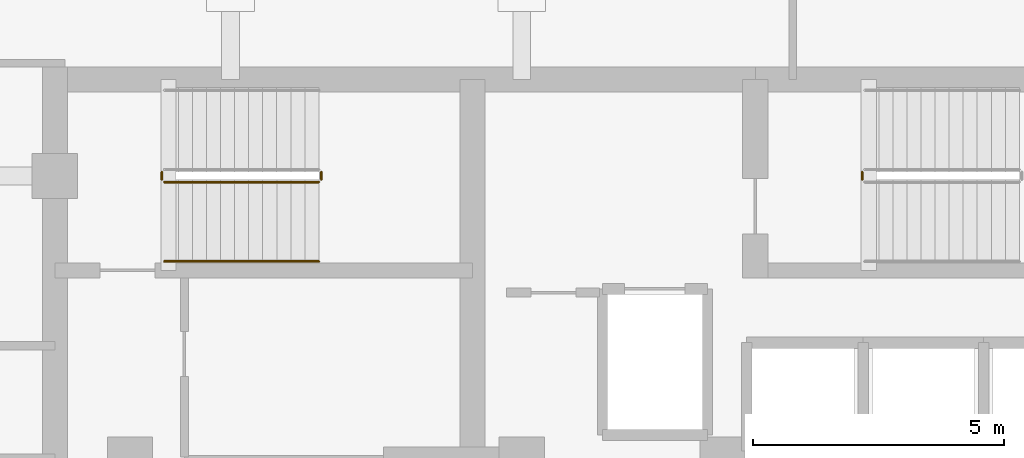
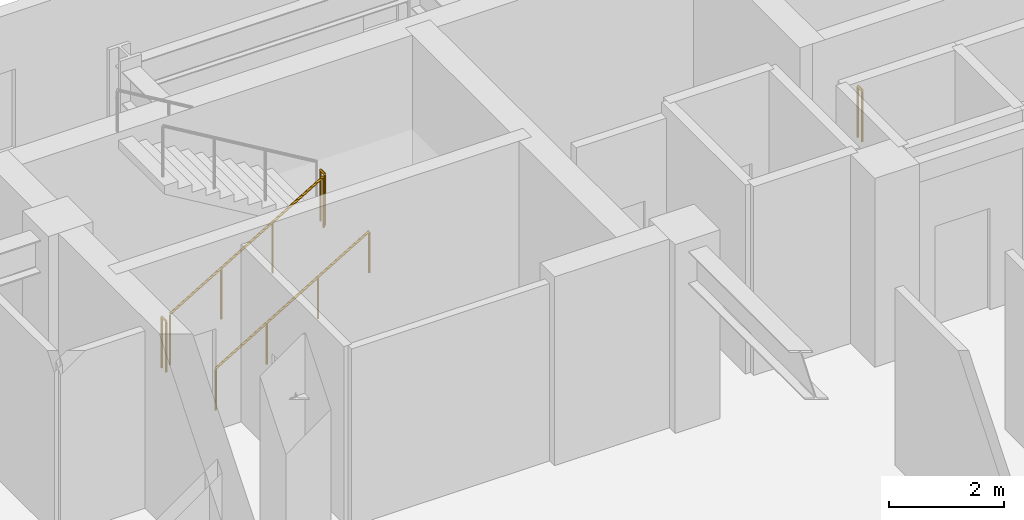
# One storey, part 11 of 13: 5 railings.
"""IFC4 building model written with IfcOpenShell, lengths in metres."""

from ifc_helpers import new_model, si_unit, direction, frame, origin, origin_2d, place, context, subcontext, project, spatial, circle, extrude, material, type_object, element, save


model = new_model("IFC4")

# Units and contexts
model_context = context("Model", 3, precision=1e-05, world=origin(), true_north=direction((0.0, 1.0)))
body_context = subcontext(model_context, "Body", "Model", "MODEL_VIEW")
ifc_project = project(units=[si_unit("LENGTHUNIT", "METRE"), si_unit("AREAUNIT", "SQUARE_METRE"), si_unit("VOLUMEUNIT", "CUBIC_METRE"), si_unit("PLANEANGLEUNIT", "RADIAN"), si_unit("MASSUNIT", "GRAM", prefix="KILO")], contexts=[model_context])

# Site, building, storey
site_placement = place(None, origin())
site = spatial("IfcSite", under=ifc_project, at=site_placement, CompositionType="ELEMENT")
building_placement = place(site_placement, origin())
building = spatial("IfcBuilding", under=site, at=building_placement, Name="Kestravale Grand Hotel", CompositionType="ELEMENT")
storey_placement = place(building_placement, frame((0.0, 0.0, 245.39990234375)))
storey = spatial("IfcBuildingStorey", under=building, at=storey_placement, Name="L61", CompositionType="ELEMENT", Elevation=245.39990234375)

# Railings
ifc_material_1 = material(Name="Painted tubular steel stair well guard", Category="steel")
railing_type_1 = type_object("IfcRailingType", Name="RL-ST-GRD1100", PredefinedType="GUARDRAIL", material=ifc_material_1)
railing_1_placement = place(storey_placement, frame((24.080078125, 38.280029296875, 0.166748046875)))
element("IfcRailing", 1, at=railing_1_placement, inside=storey, type_object=railing_type_1, Name="L61 ST-1 stair guard 1", PredefinedType="GUARDRAIL", context=body_context, shape_type="SweptSolid", body=[
    extrude(circle(Radius=0.02392578125, at=origin_2d()), frame((0.0, 0.0, 1.076171875), z_axis=(0.859290745958, 0.0, 0.51148745235), x_axis=(0.0, 1.0, 0.0)), (0.0, 0.0, 1.0), 3.584228515625),
    extrude(circle(Radius=0.02099609375, at=origin_2d()), origin(), (0.0, 0.0, 1.0), 1.052001953125),
    extrude(circle(Radius=0.02099609375, at=origin_2d()), frame((1.026611328125, 0.0, 0.611083984375)), (0.0, 0.0, 1.0), 1.052001953125),
    extrude(circle(Radius=0.02099609375, at=origin_2d()), frame((2.05322265625, 0.0, 1.22216796875)), (0.0, 0.0, 1.0), 1.052001953125),
    extrude(circle(Radius=0.02099609375, at=origin_2d()), frame((3.079833984375, 0.0, 1.833251953125)), (0.0, 0.0, 1.0), 1.052001953125),
])
for number, where, name in (
    (2, (27.2099609375, 38.330078125, 2.0), "L61 ST-1 stair guard 2"),
    (3, (24.030029296875, 38.330078125, 0.0), "L61 ST-1 stair guard 4"),
    (4, (37.97998046875, 38.330078125, 0.0), "L61 ST-2 stair guard 4"),
):
    element("IfcRailing", number, at=place(storey_placement, frame(where)), inside=storey, type_object=railing_type_1, Name=name, PredefinedType="GUARDRAIL", context=body_context, shape_type="SweptSolid", body=[
        extrude(circle(Radius=0.02392578125, at=origin_2d()), frame((0.0, 0.0, 1.076171875), z_axis=(0.0, 1.0, 0.0), x_axis=(-1.0, 0.0, 0.0)), (0.0, 0.0, 1.0), 0.14990234375),
        extrude(circle(Radius=0.02099609375, at=origin_2d()), origin(), (0.0, 0.0, 1.0), 1.052001953125),
        extrude(circle(Radius=0.02099609375, at=origin_2d()), frame((0.0, 0.14990234375, 0.0)), (0.0, 0.0, 1.0), 1.052001953125),
    ])
ifc_material_2 = material(Name="Brushed stainless steel wall handrail", Category="steel")
railing_type_2 = type_object("IfcRailingType", Name="RL-ST-HND900", PredefinedType="HANDRAIL", material=ifc_material_2)
railing_2_placement = place(storey_placement, frame((24.080078125, 36.699951171875, 0.166748046875)))
element("IfcRailing", 5, at=railing_2_placement, inside=storey, type_object=railing_type_2, Name="L61 ST-1 stair handrail 1", PredefinedType="HANDRAIL", context=body_context, shape_type="SweptSolid", body=[
    extrude(circle(Radius=0.02392578125, at=origin_2d()), frame((0.0, 0.0, 0.8759765625), z_axis=(0.859290745958, 0.0, 0.51148745235), x_axis=(0.0, 1.0, 0.0)), (0.0, 0.0, 1.0), 3.584228515625),
    extrude(circle(Radius=0.02099609375, at=origin_2d()), origin(), (0.0, 0.0, 1.0), 0.851806640625),
    extrude(circle(Radius=0.02099609375, at=origin_2d()), frame((1.026611328125, 0.0, 0.611083984375)), (0.0, 0.0, 1.0), 0.851806640625),
    extrude(circle(Radius=0.02099609375, at=origin_2d()), frame((2.05322265625, 0.0, 1.22216796875)), (0.0, 0.0, 1.0), 0.851806640625),
    extrude(circle(Radius=0.02099609375, at=origin_2d()), frame((3.079833984375, 0.0, 1.833251953125)), (0.0, 0.0, 1.0), 0.851806640625),
])

save(model, "model.ifc")
